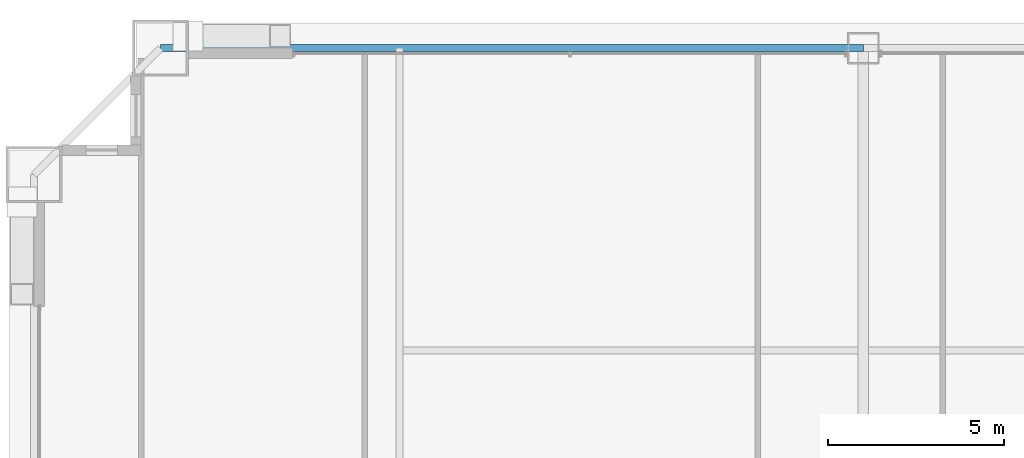
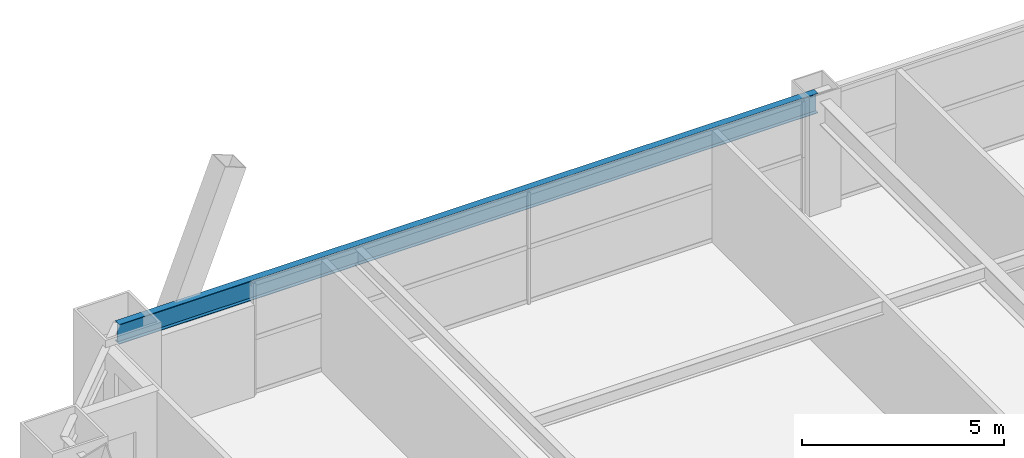
# One storey, part 29 of 43: 1 beam.
"""IFC4 building model written with IfcOpenShell, lengths in metres."""

from ifc_helpers import new_model, si_unit, direction, frame, origin, origin_2d, place, context, subcontext, project, spatial, i_section, extrude, source, transform, mapped, material, material_profile, profile_set, type_object, element, save


model = new_model("IFC4")

# Units and contexts
model_context = context("Model", 3, precision=1e-05, world=origin(), true_north=direction((0.0, 1.0)))
body_context = subcontext(model_context, "Body", "Model", "MODEL_VIEW")
ifc_project = project(units=[si_unit("LENGTHUNIT", "METRE"), si_unit("AREAUNIT", "SQUARE_METRE"), si_unit("VOLUMEUNIT", "CUBIC_METRE"), si_unit("PLANEANGLEUNIT", "RADIAN"), si_unit("MASSUNIT", "GRAM", prefix="KILO"), si_unit("THERMODYNAMICTEMPERATUREUNIT", "KELVIN"), si_unit("POWERUNIT", "WATT")], contexts=[model_context])

# Site, building, storey
site_placement = place(None, origin())
site = spatial("IfcSite", under=ifc_project, at=site_placement, CompositionType="ELEMENT")
building_placement = place(site_placement, origin())
building = spatial("IfcBuilding", under=site, at=building_placement, Name="Yuzanri Waterfront Tower", CompositionType="ELEMENT")
storey_placement = place(building_placement, frame((0.0, 0.0, 138.0)))
storey = spatial("IfcBuildingStorey", under=building, at=storey_placement, Name="L36", CompositionType="ELEMENT", Elevation=138.0)

# Beam
ifc_material = material(Name="Steel Q355B", Category="steel")
ifc_material_profile = material_profile(ifc_material, i_section(OverallWidth=0.199951171875, OverallDepth=0.60009765625, WebThickness=0.010986328125, FlangeThickness=0.01708984375, at=origin_2d()), Name="HN 600x200x11x17")
ifc_profile_set = profile_set([ifc_material_profile], Name="Steel Q355B")
beam_type = type_object("IfcBeamType", Name="Perimeter Spandrel Q355B HN 600x200", PredefinedType="SPANDREL", material=ifc_profile_set)
shared_shape = source(origin(), body_context, "Body", "SweptSolid", [
    extrude(i_section(OverallWidth=0.199951171875, OverallDepth=0.60009765625, WebThickness=0.010986328125, FlangeThickness=0.01708984375, at=origin_2d()), origin(), (0.0, 0.0, 1.0), 20.0),
])
beam_placement = place(storey_placement, frame((37.0, 49.39990234375, 3.080078125), z_axis=(-1.0, 0.0, 0.0), x_axis=(0.0, -1.0, 0.0)))
element("IfcBeam", 1, at=beam_placement, inside=storey, type_object=beam_type, Name="L36 Perimeter Spandrel N2-N1", PredefinedType="SPANDREL", context=body_context, shape_type="MappedRepresentation", body=[
    mapped(shared_shape, transform((0.0, 0.0, 0.0), scale=1.0)),
])

save(model, "model.ifc")
